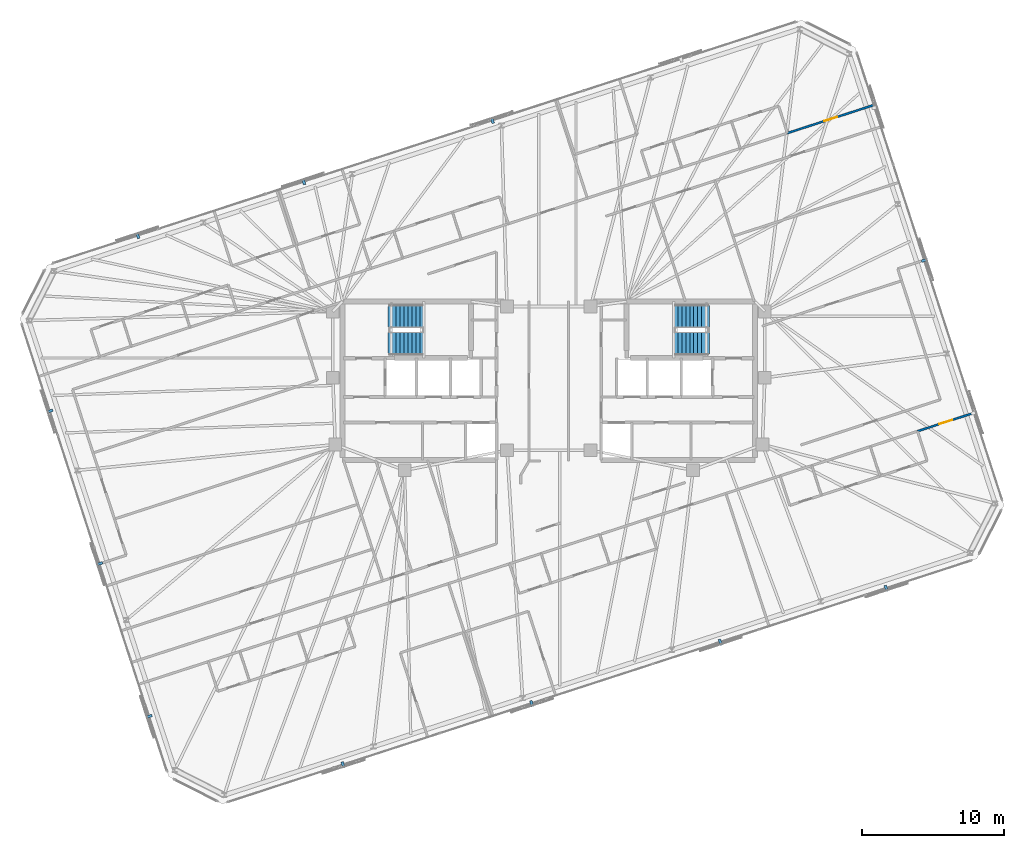
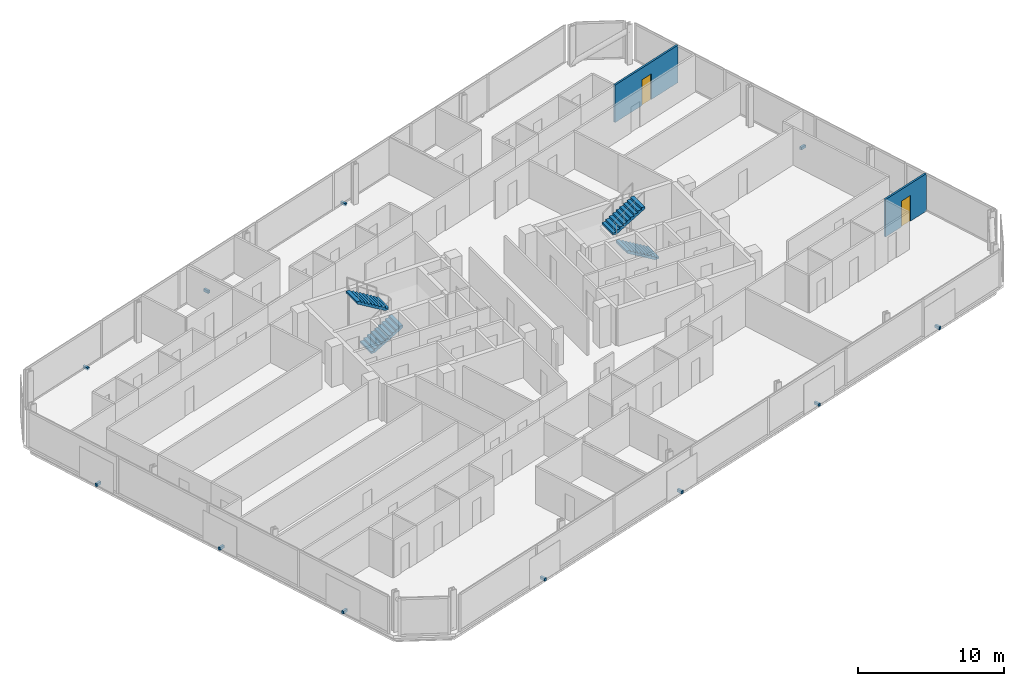
# One storey, part 18 of 20: 11 discrete accessories, 4 stair flights, 2 doors, 2 walls, 2 openings, 2 elements without a shape of their own.
"""IFC4 building model written with IfcOpenShell, lengths in metres."""

from ifc_helpers import new_model, si_unit, direction, frame, frame_2d, origin, origin_2d, place, context, subcontext, project, spatial, polyline, rectangle, outline, extrude, material, layer, layer_set, type_object, element, fill, aggregate, save


model = new_model("IFC4")

# Units and contexts
model_context = context("Model", 3, precision=1e-05, world=origin(), true_north=direction((0.0, 1.0)))
body_context = subcontext(model_context, "Body", "Model", "MODEL_VIEW")
ifc_project = project(units=[si_unit("LENGTHUNIT", "METRE"), si_unit("AREAUNIT", "SQUARE_METRE"), si_unit("VOLUMEUNIT", "CUBIC_METRE"), si_unit("PLANEANGLEUNIT", "RADIAN"), si_unit("MASSUNIT", "GRAM", prefix="KILO")], contexts=[model_context])

# Site, building, storey
site_placement = place(None, origin())
site = spatial("IfcSite", under=ifc_project, at=site_placement, CompositionType="ELEMENT")
building_placement = place(site_placement, origin())
building = spatial("IfcBuilding", under=site, at=building_placement, Name="Menara Jurai Vektor", CompositionType="ELEMENT")
storey_placement = place(building_placement, frame((0.0, 0.0, 217.60009765625)))
storey = spatial("IfcBuildingStorey", under=building, at=storey_placement, Name="L57", CompositionType="ELEMENT", Elevation=217.60009765625)

# Wall, opening, door
ifc_material_1 = material(Name="Gypsum Fireboard Partition", Category="gypsum")
ifc_layer = layer(ifc_material_1, 0.14990234375)
ifc_layer_set = layer_set([ifc_layer], Name="Gypsum Fireboard Partition")
wall_type = type_object("IfcWallType", Name="INT-WALL-CORR-150", PredefinedType="PARTITIONING", material=ifc_layer_set)
wall_1_placement = place(storey_placement, frame((16.845703125, 17.48876953125, 0.0), z_axis=(0.0, 0.0, 1.0), x_axis=(0.951062281754, 0.308999249554, 0.0)))
wall_1 = element("IfcWall", 1, at=wall_1_placement, inside=storey, type_object=wall_type, Name="Interior Wall IW-150 L57", PredefinedType="PARTITIONING", context=body_context, shape_type="SweptSolid", body=[
    extrude(rectangle(XDim=6.421875, YDim=0.14990234375, at=frame_2d((3.2109375, 0.0))), origin(), (0.0, 0.0, 1.0), 3.125),
])
opening_1_placement = place(wall_1_placement, frame((2.736083984375, 0.0, 0.0)))
opening_1 = element("IfcOpeningElement", 2, at=opening_1_placement, cuts=wall_1, Name="Opening D57-19", PredefinedType="OPENING", context=body_context, shape_type="SweptSolid", body=[
    extrude(rectangle(XDim=0.949951171875, YDim=2.14990234375, at=frame_2d((0.47509765625, 1.074951171875))), frame((0.0, 0.0849609375, 0.0), z_axis=(0.0, -1.0, 0.0), x_axis=(1.0, 0.0, 0.0)), (0.0, 0.0, 1.0), 0.169921875),
])
ifc_material_2 = material(Name="Solid Core Timber Fire Door", Category="wood")
door_type = type_object("IfcDoorType", Name="DR-ENTRY-950", OperationType="NOTDEFINED", PredefinedType="DOOR", material=ifc_material_2)
door_1_placement = place(opening_1_placement, origin())
door_1 = element("IfcDoor", 3, at=door_1_placement, inside=storey, type_object=door_type, Name="Interior Door D57-19", OperationType="SINGLE_SWING_RIGHT", OverallHeight=2.14990234375, OverallWidth=0.949951171875, PredefinedType="DOOR", context=body_context, shape_type="SweptSolid", body=[
    extrude(rectangle(XDim=0.949951171875, YDim=2.14990234375, at=frame_2d((0.47509765625, 1.074951171875))), frame((0.0, 0.02490234375, 0.0), z_axis=(0.0, -1.0, 0.0), x_axis=(1.0, 0.0, 0.0)), (0.0, 0.0, 1.0), 0.050048828125),
])
fill(opening_1, door_1)

wall_2_placement = place(storey_placement, frame((26.02978515625, -3.557373046875, 0.0), z_axis=(0.0, 0.0, 1.0), x_axis=(0.951050334989, 0.309036017832, 0.0)))
wall_2 = element("IfcWall", 4, at=wall_2_placement, inside=storey, type_object=wall_type, Name="Interior Wall IW-150 L57", PredefinedType="PARTITIONING", context=body_context, shape_type="SweptSolid", body=[
    extrude(rectangle(XDim=4.19091796875, YDim=0.14990234375, at=frame_2d((2.095458984375, 0.0))), origin(), (0.0, 0.0, 1.0), 3.125),
])
opening_2_placement = place(wall_2_placement, frame((1.62060546875, 0.0, 0.0)))
opening_2 = element("IfcOpeningElement", 5, at=opening_2_placement, cuts=wall_2, Name="Opening D57-34", PredefinedType="OPENING", context=body_context, shape_type="SweptSolid", body=[
    extrude(rectangle(XDim=0.949951171875, YDim=2.14990234375, at=frame_2d((0.47509765625, 1.074951171875))), frame((0.0, 0.0849609375, 0.0), z_axis=(0.0, -1.0, 0.0), x_axis=(1.0, 0.0, 0.0)), (0.0, 0.0, 1.0), 0.169921875),
])
door_2_placement = place(opening_2_placement, origin())
door_2 = element("IfcDoor", 6, at=door_2_placement, inside=storey, type_object=door_type, Name="Interior Door D57-34", OperationType="SINGLE_SWING_LEFT", OverallHeight=2.14990234375, OverallWidth=0.949951171875, PredefinedType="DOOR", context=body_context, shape_type="SweptSolid", body=[
    extrude(rectangle(XDim=0.949951171875, YDim=2.14990234375, at=frame_2d((0.47509765625, 1.074951171875))), frame((0.0, 0.02490234375, 0.0), z_axis=(0.0, -1.0, 0.0), x_axis=(1.0, 0.0, 0.0)), (0.0, 0.0, 1.0), 0.050048828125),
])
fill(opening_2, door_2)

# Stair, stair flights
ifc_material_3 = material(Name="Concrete C40/50", Category="concrete")
stair_type = type_object("IfcStairType", Name="STAIR-DOGLEG-1500", PredefinedType="HALF_TURN_STAIR", material=ifc_material_3)
stair_1_placement = place(storey_placement, origin())
stair_1 = element("IfcStair", 7, at=stair_1_placement, inside=storey, type_object=stair_type, Name="Protected Exit Stair ST1 L57", PredefinedType="HALF_TURN_STAIR")
stair_flight_type = type_object("IfcStairFlightType", Name="STAIR-FLIGHT-1500", PredefinedType="STRAIGHT", material=ifc_material_3)
stair_flight_1_placement = place(storey_placement, frame((-11.35009765625, 2.64990234375, 0.0), z_axis=(0.0, 0.0, 1.0), x_axis=(1.0, 0.0, 0.0)))
stair_flight_1 = element("IfcStairFlight", 8, at=stair_flight_1_placement, type_object=stair_flight_type, Name="ST1 flight 1", NumberOfRisers=10, NumberOfTreads=9, PredefinedType="STRAIGHT", RiserHeight=0.1675, TreadLength=0.28, context=body_context, shape_type="SweptSolid", body=[
    extrude(outline(polyline([(0.0, 0.0), (0.0, 0.16748046875), (0.280029296875, 0.16748046875), (0.280029296875, 0.3349609375), (0.56005859375, 0.3349609375), (0.56005859375, 0.50244140625), (0.840087890625, 0.50244140625), (0.840087890625, 0.669921875), (1.1201171875, 0.669921875), (1.1201171875, 0.83740234375), (1.39990234375, 0.83740234375), (1.39990234375, 1.0048828125), (1.679931640625, 1.0048828125), (1.679931640625, 1.172607421875), (1.9599609375, 1.172607421875), (1.9599609375, 1.340087890625), (2.239990234375, 1.340087890625), (2.239990234375, 1.507568359375), (2.52001953125, 1.507568359375), (2.52001953125, 1.675048828125), (2.52001953125, 1.321044921875), (0.3115234375, 0.0), (0.0, 0.0)])), frame((0.0, 0.75, 0.0), z_axis=(0.0, -1.0, 0.0), x_axis=(1.0, 0.0, 0.0)), (0.0, 0.0, 1.0), 1.5),
])
stair_flight_2_placement = place(storey_placement, frame((-8.830078125, 4.550048828125, 1.6748046875), z_axis=(0.0, 0.0, 1.0), x_axis=(-1.0, 0.0, 0.0)))
stair_flight_2 = element("IfcStairFlight", 9, at=stair_flight_2_placement, type_object=stair_flight_type, Name="ST1 flight 2", NumberOfRisers=10, NumberOfTreads=9, PredefinedType="STRAIGHT", RiserHeight=0.1675, TreadLength=0.28, context=body_context, shape_type="SweptSolid", body=[
    extrude(outline(polyline([(0.0, 0.0), (0.0, 0.16748046875), (0.280029296875, 0.16748046875), (0.280029296875, 0.3349609375), (0.56005859375, 0.3349609375), (0.56005859375, 0.50244140625), (0.840087890625, 0.50244140625), (0.840087890625, 0.669921875), (1.1201171875, 0.669921875), (1.1201171875, 0.83740234375), (1.39990234375, 0.83740234375), (1.39990234375, 1.0048828125), (1.679931640625, 1.0048828125), (1.679931640625, 1.172607421875), (1.9599609375, 1.172607421875), (1.9599609375, 1.340087890625), (2.239990234375, 1.340087890625), (2.239990234375, 1.507568359375), (2.52001953125, 1.507568359375), (2.52001953125, 1.675048828125), (2.52001953125, 1.321044921875), (0.3115234375, 0.0), (0.0, 0.0)])), frame((0.0, 0.75, 0.0), z_axis=(0.0, -1.0, 0.0), x_axis=(1.0, 0.0, 0.0)), (0.0, 0.0, 1.0), 1.5),
])
aggregate(stair_1, [stair_flight_1, stair_flight_2])

stair_2_placement = place(storey_placement, origin())
stair_2 = element("IfcStair", 10, at=stair_2_placement, inside=storey, type_object=stair_type, Name="Protected Exit Stair ST2 L57", PredefinedType="HALF_TURN_STAIR")
stair_flight_3_placement = place(storey_placement, frame((11.35009765625, 2.64990234375, 0.0), z_axis=(0.0, 0.0, 1.0), x_axis=(-1.0, 0.0, 0.0)))
stair_flight_3 = element("IfcStairFlight", 11, at=stair_flight_3_placement, type_object=stair_flight_type, Name="ST2 flight 1", NumberOfRisers=10, NumberOfTreads=9, PredefinedType="STRAIGHT", RiserHeight=0.1675, TreadLength=0.28, context=body_context, shape_type="SweptSolid", body=[
    extrude(outline(polyline([(0.0, 0.0), (0.0, 0.16748046875), (0.280029296875, 0.16748046875), (0.280029296875, 0.3349609375), (0.56005859375, 0.3349609375), (0.56005859375, 0.50244140625), (0.840087890625, 0.50244140625), (0.840087890625, 0.669921875), (1.1201171875, 0.669921875), (1.1201171875, 0.83740234375), (1.39990234375, 0.83740234375), (1.39990234375, 1.0048828125), (1.679931640625, 1.0048828125), (1.679931640625, 1.172607421875), (1.9599609375, 1.172607421875), (1.9599609375, 1.340087890625), (2.239990234375, 1.340087890625), (2.239990234375, 1.507568359375), (2.52001953125, 1.507568359375), (2.52001953125, 1.675048828125), (2.52001953125, 1.321044921875), (0.3115234375, 0.0), (0.0, 0.0)])), frame((0.0, 0.75, 0.0), z_axis=(0.0, -1.0, 0.0), x_axis=(1.0, 0.0, 0.0)), (0.0, 0.0, 1.0), 1.5),
])
stair_flight_4_placement = place(storey_placement, frame((8.830078125, 4.550048828125, 1.6748046875), z_axis=(0.0, 0.0, 1.0), x_axis=(1.0, 0.0, 0.0)))
stair_flight_4 = element("IfcStairFlight", 12, at=stair_flight_4_placement, type_object=stair_flight_type, Name="ST2 flight 2", NumberOfRisers=10, NumberOfTreads=9, PredefinedType="STRAIGHT", RiserHeight=0.1675, TreadLength=0.28, context=body_context, shape_type="SweptSolid", body=[
    extrude(outline(polyline([(0.0, 0.0), (0.0, 0.16748046875), (0.280029296875, 0.16748046875), (0.280029296875, 0.3349609375), (0.56005859375, 0.3349609375), (0.56005859375, 0.50244140625), (0.840087890625, 0.50244140625), (0.840087890625, 0.669921875), (1.1201171875, 0.669921875), (1.1201171875, 0.83740234375), (1.39990234375, 0.83740234375), (1.39990234375, 1.0048828125), (1.679931640625, 1.0048828125), (1.679931640625, 1.172607421875), (1.9599609375, 1.172607421875), (1.9599609375, 1.340087890625), (2.239990234375, 1.340087890625), (2.239990234375, 1.507568359375), (2.52001953125, 1.507568359375), (2.52001953125, 1.675048828125), (2.52001953125, 1.321044921875), (0.3115234375, 0.0), (0.0, 0.0)])), frame((0.0, 0.75, 0.0), z_axis=(0.0, -1.0, 0.0), x_axis=(1.0, 0.0, 0.0)), (0.0, 0.0, 1.0), 1.5),
])
aggregate(stair_2, [stair_flight_3, stair_flight_4])

# Discrete accessories
ifc_material_4 = material(Name="Steel S355", Category="steel")
discrete_accessory_type = type_object("IfcDiscreteAccessoryType", Name="ENV-ACC-BRACKET", PredefinedType="BRACKET", material=ifc_material_4)
for number, where, z_axis, x_axis, name in (
    (13, (-14.524658203125, -27.1142578125, -0.1298828125), (0.0, 0.0, 1.0), (0.951056516295, 0.309016994375, 0.0), "Solar Screen Stand-Off Bracket L57-S01"),
    (14, (-1.2099609375, -22.7880859375, -0.1298828125), (0.0, 0.0, 1.0), (0.951056516295, 0.309016994375, 0.0), "Solar Screen Stand-Off Bracket L57-S02"),
    (15, (12.10498046875, -18.4619140625, -0.1298828125), (0.0, 0.0, 1.0), (0.951056516295, 0.309016994375, 0.0), "Solar Screen Stand-Off Bracket L57-S03"),
    (16, (23.822021484375, -14.65478515625, -0.1298828125), (0.0, 0.0, 1.0), (0.951056516295, 0.309016994375, 0.0), "Solar Screen Stand-Off Bracket L57-S04"),
    (17, (26.5244140625, 8.514404296875, -0.1298828125), (0.0, 0.0, 1.0), (-0.309016994375, 0.951056516295, 0.0), "Solar Screen Stand-Off Bracket L57-S06"),
    (18, (-3.989990234375, 18.38818359375, -0.1298828125), (0.0, 0.0, 1.0), (-0.951056516295, -0.309016994375, 0.0), "Solar Screen Stand-Off Bracket L57-S09"),
    (19, (-17.304931640625, 14.06201171875, -0.1298828125), (0.0, 0.0, 1.0), (-0.951056516295, -0.309016994375, 0.0), "Solar Screen Stand-Off Bracket L57-S10"),
    (20, (-29.02197265625, 10.2548828125, -0.1298828125), (0.0, 0.0, 1.0), (-0.951056516295, -0.309016994375, 0.0), "Solar Screen Stand-Off Bracket L57-S11"),
    (21, (-35.226806640625, -2.1357421875, -0.1298828125), (0.0, 0.0, 1.0), (0.309016994375, -0.951056516295, 0.0), "Solar Screen Stand-Off Bracket L57-S12"),
    (22, (-31.724609375, -12.914306640625, -0.1298828125), (0.0, 0.0, 1.0), (0.309016994375, -0.951056516295, 0.0), "Solar Screen Stand-Off Bracket L57-S13"),
    (23, (-28.222412109375, -23.693115234375, -0.1298828125), (0.0, 0.0, 1.0), (0.309016994375, -0.951056516295, 0.0), "Solar Screen Stand-Off Bracket L57-S14"),
):
    element("IfcDiscreteAccessory", number, at=place(storey_placement, frame(where, z_axis=z_axis, x_axis=x_axis)), inside=storey, type_object=discrete_accessory_type, Name=name, PredefinedType="BRACKET", context=body_context, shape_type="SweptSolid", body=[
        extrude(rectangle(XDim=0.179931640625, YDim=0.43994140625, at=origin_2d()), origin(), (0.0, 0.0, 1.0), 0.219970703125),
    ])

save(model, "model.ifc")
